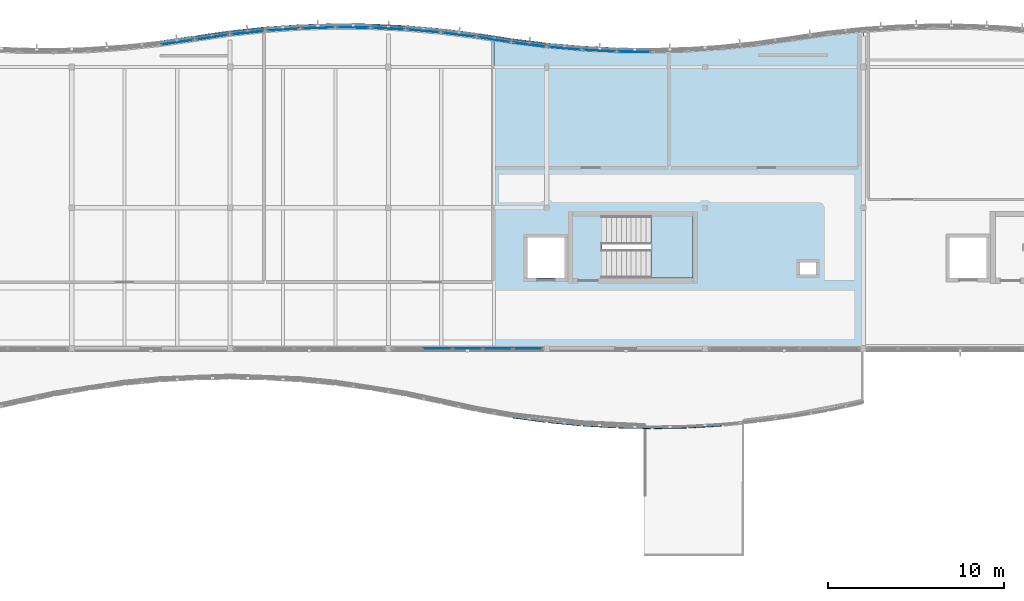
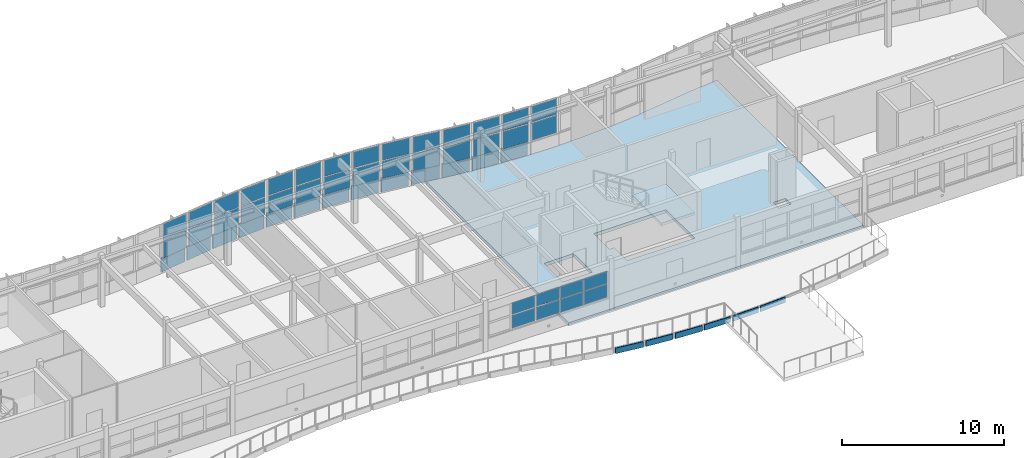
# One storey, part 16 of 33: 55 plates, 2 slabs, 16 elements without a shape of their own.
"""IFC4 building model written with IfcOpenShell, lengths in metres."""

from ifc_helpers import new_model, si_unit, direction, frame, origin, origin_2d, place, context, subcontext, project, spatial, polyline, rectangle, outline, extrude, material, layer, layer_set, type_object, element, aggregate, save


model = new_model("IFC4")

# Units and contexts
model_context = context("Model", 3, precision=1e-05, world=origin(), true_north=direction((0.0, 1.0)))
body_context = subcontext(model_context, "Body", "Model", "MODEL_VIEW")
ifc_project = project(units=[si_unit("LENGTHUNIT", "METRE"), si_unit("AREAUNIT", "SQUARE_METRE"), si_unit("VOLUMEUNIT", "CUBIC_METRE"), si_unit("PLANEANGLEUNIT", "RADIAN"), si_unit("MASSUNIT", "GRAM", prefix="KILO")], contexts=[model_context])

# Site, building, storey
site_placement = place(None, origin())
site = spatial("IfcSite", under=ifc_project, at=site_placement, CompositionType="ELEMENT")
building_placement = place(site_placement, origin())
building = spatial("IfcBuilding", under=site, at=building_placement, Name="Tonlespit Floodbar School", CompositionType="ELEMENT")
storey_placement = place(building_placement, frame((0.0, 0.0, 16.199951171875)))
storey = spatial("IfcBuildingStorey", under=building, at=storey_placement, Name="L04", CompositionType="ELEMENT", Elevation=16.199951171875)

# Curtain wall, plates
ifc_material_1 = material(Name="Anodised Aluminium", Category="aluminium")
ifc_layer_1 = layer(ifc_material_1, 0.159912109375)
ifc_layer_set_1 = layer_set([ifc_layer_1], Name="Anodised Aluminium")
curtain_wall_type_1 = type_object("IfcCurtainWallType", Name="CurtainWall_1900x2700", PredefinedType="NOTDEFINED", material=ifc_layer_set_1)
curtain_wall_1_placement = place(storey_placement, origin())
curtain_wall_1 = element("IfcCurtainWall", 1, at=curtain_wall_1_placement, inside=storey, type_object=curtain_wall_type_1, Name="L04 unitised curtain wall 0185", PredefinedType="NOTDEFINED")
ifc_material_2 = material(Name="Laminated Low-E Glass", Category="glass")
ifc_layer_2 = layer(ifc_material_2, 0.028076171875)
ifc_layer_set_2 = layer_set([ifc_layer_2], Name="Laminated Low-E Glass")
plate_type_1 = type_object("IfcPlateType", Name="CW_Panel_Glaz_28", PredefinedType="CURTAIN_PANEL", material=ifc_layer_set_2)
plate_1_placement = place(storey_placement, frame((83.0, 122.121826171875, 1.01513671875), z_axis=(0.0, 0.0, 1.0), x_axis=(0.99773010165, 0.067339767311, 0.0)))
plate_1 = element("IfcPlate", 2, at=plate_1_placement, type_object=plate_type_1, Name="CW-05 panel 1.1", PredefinedType="CURTAIN_PANEL", context=body_context, shape_type="SweptSolid", body=[
    extrude(rectangle(XDim=1.794677734375, YDim=0.028076171875, at=origin_2d()), origin(), (0.0, 0.0, 1.0), 1.306396484375),
])
plate_2_placement = place(storey_placement, frame((83.0, 122.121826171875, 2.38671875), z_axis=(0.0, 0.0, 1.0), x_axis=(0.99773010165, 0.067339767311, 0.0)))
plate_2 = element("IfcPlate", 3, at=plate_2_placement, type_object=plate_type_1, Name="CW-05 panel 1.2", PredefinedType="CURTAIN_PANEL", context=body_context, shape_type="SweptSolid", body=[
    extrude(rectangle(XDim=1.794677734375, YDim=0.028076171875, at=origin_2d()), origin(), (0.0, 0.0, 1.0), 1.198486328125),
])
aggregate(curtain_wall_1, [plate_1, plate_2])

ifc_layer_3 = layer(ifc_material_1, 0.159912109375)
ifc_layer_set_3 = layer_set([ifc_layer_3], Name="Anodised Aluminium")
curtain_wall_type_2 = type_object("IfcCurtainWallType", Name="CurtainWall_1950x2700", PredefinedType="NOTDEFINED", material=ifc_layer_set_3)
curtain_wall_2_placement = place(storey_placement, origin())
curtain_wall_2 = element("IfcCurtainWall", 4, at=curtain_wall_2_placement, inside=storey, type_object=curtain_wall_type_2, Name="L04 unitised curtain wall 0189", PredefinedType="NOTDEFINED")
plate_3_placement = place(storey_placement, frame((91.0, 122.044677734375, 1.01513671875), z_axis=(0.0, 0.0, 1.0), x_axis=(0.996249148412, -0.086531117454, 0.0)))
plate_3 = element("IfcPlate", 5, at=plate_3_placement, type_object=plate_type_1, Name="CW-04 panel 1.1", PredefinedType="CURTAIN_PANEL", context=body_context, shape_type="SweptSolid", body=[
    extrude(rectangle(XDim=1.797607421875, YDim=0.028076171875, at=origin_2d()), origin(), (0.0, 0.0, 1.0), 1.306396484375),
])
plate_4_placement = place(storey_placement, frame((91.0, 122.044677734375, 2.38671875), z_axis=(0.0, 0.0, 1.0), x_axis=(0.996249148412, -0.086531117454, 0.0)))
plate_4 = element("IfcPlate", 6, at=plate_4_placement, type_object=plate_type_1, Name="CW-04 panel 1.2", PredefinedType="CURTAIN_PANEL", context=body_context, shape_type="SweptSolid", body=[
    extrude(rectangle(XDim=1.797607421875, YDim=0.028076171875, at=origin_2d()), origin(), (0.0, 0.0, 1.0), 1.198486328125),
])
aggregate(curtain_wall_2, [plate_3, plate_4])

curtain_wall_3_placement = place(storey_placement, origin())
curtain_wall_3 = element("IfcCurtainWall", 7, at=curtain_wall_3_placement, inside=storey, type_object=curtain_wall_type_2, Name="L04 unitised curtain wall 0193", PredefinedType="NOTDEFINED")
plate_5_placement = place(storey_placement, frame((99.0, 121.055419921875, 1.01513671875), z_axis=(0.0, 0.0, 1.0), x_axis=(0.996249148412, -0.086531117454, 0.0)))
plate_5 = element("IfcPlate", 8, at=plate_5_placement, type_object=plate_type_1, Name="CW-04 panel 1.1", PredefinedType="CURTAIN_PANEL", context=body_context, shape_type="SweptSolid", body=[
    extrude(rectangle(XDim=1.797607421875, YDim=0.028076171875, at=origin_2d()), origin(), (0.0, 0.0, 1.0), 1.306396484375),
])
plate_6_placement = place(storey_placement, frame((99.0, 121.055419921875, 2.38671875), z_axis=(0.0, 0.0, 1.0), x_axis=(0.996249148412, -0.086531117454, 0.0)))
plate_6 = element("IfcPlate", 9, at=plate_6_placement, type_object=plate_type_1, Name="CW-04 panel 1.2", PredefinedType="CURTAIN_PANEL", context=body_context, shape_type="SweptSolid", body=[
    extrude(rectangle(XDim=1.797607421875, YDim=0.028076171875, at=origin_2d()), origin(), (0.0, 0.0, 1.0), 1.198486328125),
])
aggregate(curtain_wall_3, [plate_5, plate_6])

curtain_wall_4_placement = place(storey_placement, origin())
curtain_wall_4 = element("IfcCurtainWall", 10, at=curtain_wall_4_placement, inside=storey, type_object=curtain_wall_type_2, Name="L04 unitised curtain wall 0182", PredefinedType="NOTDEFINED")
ifc_layer_4 = layer(ifc_material_2, 0.031982421875)
ifc_layer_set_4 = layer_set([ifc_layer_4], Name="Laminated Low-E Glass")
plate_type_2 = type_object("IfcPlateType", Name="CW_Panel_Glaz_32", PredefinedType="CURTAIN_PANEL", material=ifc_layer_set_4)
plate_7_placement = place(storey_placement, frame((77.0, 121.404296875, 1.01513671875), z_axis=(0.0, 0.0, 1.0), x_axis=(0.989541561858, 0.144248041079, 0.0)))
plate_7 = element("IfcPlate", 11, at=plate_7_placement, type_object=plate_type_2, Name="CW-04 panel 1.1", PredefinedType="CURTAIN_PANEL", context=body_context, shape_type="SweptSolid", body=[
    extrude(rectangle(XDim=1.81103515625, YDim=0.031982421875, at=origin_2d()), origin(), (0.0, 0.0, 1.0), 1.306396484375),
])
plate_8_placement = place(storey_placement, frame((77.0, 121.404296875, 2.38671875), z_axis=(0.0, 0.0, 1.0), x_axis=(0.989541561858, 0.144248041079, 0.0)))
plate_8 = element("IfcPlate", 12, at=plate_8_placement, type_object=plate_type_2, Name="CW-04 panel 1.2", PredefinedType="CURTAIN_PANEL", context=body_context, shape_type="SweptSolid", body=[
    extrude(rectangle(XDim=1.81103515625, YDim=0.031982421875, at=origin_2d()), origin(), (0.0, 0.0, 1.0), 1.198486328125),
])
aggregate(curtain_wall_4, [plate_7, plate_8])

curtain_wall_5_placement = place(storey_placement, origin())
curtain_wall_5 = element("IfcCurtainWall", 13, at=curtain_wall_5_placement, inside=storey, type_object=curtain_wall_type_1, Name="L04 unitised curtain wall 0186", PredefinedType="NOTDEFINED")
plate_9_placement = place(storey_placement, frame((85.0, 122.21826171875, 1.01513671875), z_axis=(0.0, 0.0, 1.0), x_axis=(0.999585477883, 0.028790144226, 0.0)))
plate_9 = element("IfcPlate", 14, at=plate_9_placement, type_object=plate_type_2, Name="CW-05 panel 1.1", PredefinedType="CURTAIN_PANEL", context=body_context, shape_type="SweptSolid", body=[
    extrude(rectangle(XDim=1.790771484375, YDim=0.031982421875, at=origin_2d()), origin(), (0.0, 0.0, 1.0), 1.306396484375),
])
plate_10_placement = place(storey_placement, frame((85.0, 122.21826171875, 2.38671875), z_axis=(0.0, 0.0, 1.0), x_axis=(0.999585477883, 0.028790144226, 0.0)))
plate_10 = element("IfcPlate", 15, at=plate_10_placement, type_object=plate_type_2, Name="CW-05 panel 1.2", PredefinedType="CURTAIN_PANEL", context=body_context, shape_type="SweptSolid", body=[
    extrude(rectangle(XDim=1.790771484375, YDim=0.031982421875, at=origin_2d()), origin(), (0.0, 0.0, 1.0), 1.198486328125),
])
aggregate(curtain_wall_5, [plate_9, plate_10])

curtain_wall_6_placement = place(storey_placement, origin())
curtain_wall_6 = element("IfcCurtainWall", 16, at=curtain_wall_6_placement, inside=storey, type_object=curtain_wall_type_2, Name="L04 unitised curtain wall 0190", PredefinedType="NOTDEFINED")
plate_11_placement = place(storey_placement, frame((93.0, 121.831787109375, 1.01513671875), z_axis=(0.0, 0.0, 1.0), x_axis=(0.992155002499, -0.125013803299, 0.0)))
plate_11 = element("IfcPlate", 17, at=plate_11_placement, type_object=plate_type_2, Name="CW-04 panel 1.1", PredefinedType="CURTAIN_PANEL", context=body_context, shape_type="SweptSolid", body=[
    extrude(rectangle(XDim=1.805908203125, YDim=0.031982421875, at=origin_2d()), origin(), (0.0, 0.0, 1.0), 1.306396484375),
])
plate_12_placement = place(storey_placement, frame((93.0, 121.831787109375, 2.38671875), z_axis=(0.0, 0.0, 1.0), x_axis=(0.992155002499, -0.125013803299, 0.0)))
plate_12 = element("IfcPlate", 18, at=plate_12_placement, type_object=plate_type_2, Name="CW-04 panel 1.2", PredefinedType="CURTAIN_PANEL", context=body_context, shape_type="SweptSolid", body=[
    extrude(rectangle(XDim=1.805908203125, YDim=0.031982421875, at=origin_2d()), origin(), (0.0, 0.0, 1.0), 1.198486328125),
])
aggregate(curtain_wall_6, [plate_11, plate_12])

curtain_wall_7_placement = place(storey_placement, origin())
curtain_wall_7 = element("IfcCurtainWall", 19, at=curtain_wall_7_placement, inside=storey, type_object=curtain_wall_type_1, Name="L04 unitised curtain wall 0194", PredefinedType="NOTDEFINED")
plate_13_placement = place(storey_placement, frame((101.0, 120.92041015625, 1.01513671875), z_axis=(0.0, 0.0, 1.0), x_axis=(0.998841500616, -0.048121270216, 0.0)))
plate_13 = element("IfcPlate", 20, at=plate_13_placement, type_object=plate_type_2, Name="CW-05 panel 1.1", PredefinedType="CURTAIN_PANEL", context=body_context, shape_type="SweptSolid", body=[
    extrude(rectangle(XDim=1.792236328125, YDim=0.031982421875, at=origin_2d()), origin(), (0.0, 0.0, 1.0), 1.306396484375),
])
plate_14_placement = place(storey_placement, frame((101.0, 120.92041015625, 2.38671875), z_axis=(0.0, 0.0, 1.0), x_axis=(0.998841500616, -0.048121270216, 0.0)))
plate_14 = element("IfcPlate", 21, at=plate_14_placement, type_object=plate_type_2, Name="CW-05 panel 1.2", PredefinedType="CURTAIN_PANEL", context=body_context, shape_type="SweptSolid", body=[
    extrude(rectangle(XDim=1.792236328125, YDim=0.031982421875, at=origin_2d()), origin(), (0.0, 0.0, 1.0), 1.198486328125),
])
aggregate(curtain_wall_7, [plate_13, plate_14])

curtain_wall_8_placement = place(storey_placement, origin())
curtain_wall_8 = element("IfcCurtainWall", 22, at=curtain_wall_8_placement, inside=storey, type_object=curtain_wall_type_2, Name="L04 unitised curtain wall 0183", PredefinedType="NOTDEFINED")
ifc_layer_5 = layer(ifc_material_2, 0.035888671875)
ifc_layer_set_5 = layer_set([ifc_layer_5], Name="Laminated Low-E Glass")
plate_type_3 = type_object("IfcPlateType", Name="CW_Panel_Glaz_36", PredefinedType="CURTAIN_PANEL", material=ifc_layer_set_5)
plate_15_placement = place(storey_placement, frame((79.0, 121.69580078125, 1.01513671875), z_axis=(0.0, 0.0, 1.0), x_axis=(0.989541561858, 0.144248041079, 0.0)))
plate_15 = element("IfcPlate", 23, at=plate_15_placement, type_object=plate_type_3, Name="CW-04 panel 1.1", PredefinedType="CURTAIN_PANEL", context=body_context, shape_type="SweptSolid", body=[
    extrude(rectangle(XDim=1.81103515625, YDim=0.035888671875, at=origin_2d()), origin(), (0.0, 0.0, 1.0), 1.306396484375),
])
plate_16_placement = place(storey_placement, frame((79.0, 121.69580078125, 2.38671875), z_axis=(0.0, 0.0, 1.0), x_axis=(0.989541561858, 0.144248041079, 0.0)))
plate_16 = element("IfcPlate", 24, at=plate_16_placement, type_object=plate_type_3, Name="CW-04 panel 1.2", PredefinedType="CURTAIN_PANEL", context=body_context, shape_type="SweptSolid", body=[
    extrude(rectangle(XDim=1.81103515625, YDim=0.035888671875, at=origin_2d()), origin(), (0.0, 0.0, 1.0), 1.198486328125),
])
aggregate(curtain_wall_8, [plate_15, plate_16])

curtain_wall_9_placement = place(storey_placement, origin())
curtain_wall_9 = element("IfcCurtainWall", 25, at=curtain_wall_9_placement, inside=storey, type_object=curtain_wall_type_1, Name="L04 unitised curtain wall 0187", PredefinedType="NOTDEFINED")
plate_17_placement = place(storey_placement, frame((87.0, 122.2373046875, 1.01513671875), z_axis=(0.0, 0.0, 1.0), x_axis=(0.999954083024, -0.009582893292, 0.0)))
plate_17 = element("IfcPlate", 26, at=plate_17_placement, type_object=plate_type_3, Name="CW-05 panel 1.1", PredefinedType="CURTAIN_PANEL", context=body_context, shape_type="SweptSolid", body=[
    extrude(rectangle(XDim=1.7900390625, YDim=0.035888671875, at=origin_2d()), origin(), (0.0, 0.0, 1.0), 1.306396484375),
])
plate_18_placement = place(storey_placement, frame((87.0, 122.2373046875, 2.38671875), z_axis=(0.0, 0.0, 1.0), x_axis=(0.999954083024, -0.009582893292, 0.0)))
plate_18 = element("IfcPlate", 27, at=plate_18_placement, type_object=plate_type_3, Name="CW-05 panel 1.2", PredefinedType="CURTAIN_PANEL", context=body_context, shape_type="SweptSolid", body=[
    extrude(rectangle(XDim=1.7900390625, YDim=0.035888671875, at=origin_2d()), origin(), (0.0, 0.0, 1.0), 1.198486328125),
])
aggregate(curtain_wall_9, [plate_17, plate_18])

curtain_wall_10_placement = place(storey_placement, origin())
curtain_wall_10 = element("IfcCurtainWall", 28, at=curtain_wall_10_placement, inside=storey, type_object=curtain_wall_type_2, Name="L04 unitised curtain wall 0191", PredefinedType="NOTDEFINED")
plate_19_placement = place(storey_placement, frame((95.0, 121.550048828125, 1.01513671875), z_axis=(0.0, 0.0, 1.0), x_axis=(0.988102576465, -0.153796288585, 0.0)))
plate_19 = element("IfcPlate", 29, at=plate_19_placement, type_object=plate_type_3, Name="CW-04 panel 1.1", PredefinedType="CURTAIN_PANEL", context=body_context, shape_type="SweptSolid", body=[
    extrude(rectangle(XDim=1.814208984375, YDim=0.035888671875, at=origin_2d()), origin(), (0.0, 0.0, 1.0), 1.306396484375),
])
plate_20_placement = place(storey_placement, frame((95.0, 121.550048828125, 2.38671875), z_axis=(0.0, 0.0, 1.0), x_axis=(0.988102576465, -0.153796288585, 0.0)))
plate_20 = element("IfcPlate", 30, at=plate_20_placement, type_object=plate_type_3, Name="CW-04 panel 1.2", PredefinedType="CURTAIN_PANEL", context=body_context, shape_type="SweptSolid", body=[
    extrude(rectangle(XDim=1.814208984375, YDim=0.035888671875, at=origin_2d()), origin(), (0.0, 0.0, 1.0), 1.198486328125),
])
aggregate(curtain_wall_10, [plate_19, plate_20])

curtain_wall_11_placement = place(storey_placement, origin())
curtain_wall_11 = element("IfcCurtainWall", 31, at=curtain_wall_11_placement, inside=storey, type_object=curtain_wall_type_1, Name="L04 unitised curtain wall 0195", PredefinedType="NOTDEFINED")
plate_21_placement = place(storey_placement, frame((103.0, 120.862548828125, 1.01513671875), z_axis=(0.0, 0.0, 1.0), x_axis=(0.999954083024, -0.009582893292, 0.0)))
plate_21 = element("IfcPlate", 32, at=plate_21_placement, type_object=plate_type_3, Name="CW-05 panel 1.1", PredefinedType="CURTAIN_PANEL", context=body_context, shape_type="SweptSolid", body=[
    extrude(rectangle(XDim=1.7900390625, YDim=0.035888671875, at=origin_2d()), origin(), (0.0, 0.0, 1.0), 1.306396484375),
])
plate_22_placement = place(storey_placement, frame((103.0, 120.862548828125, 2.38671875), z_axis=(0.0, 0.0, 1.0), x_axis=(0.999954083024, -0.009582893292, 0.0)))
plate_22 = element("IfcPlate", 33, at=plate_22_placement, type_object=plate_type_3, Name="CW-05 panel 1.2", PredefinedType="CURTAIN_PANEL", context=body_context, shape_type="SweptSolid", body=[
    extrude(rectangle(XDim=1.7900390625, YDim=0.035888671875, at=origin_2d()), origin(), (0.0, 0.0, 1.0), 1.198486328125),
])
aggregate(curtain_wall_11, [plate_21, plate_22])

ifc_layer_6 = layer(ifc_material_1, 0.159912109375)
ifc_layer_set_6 = layer_set([ifc_layer_6], Name="Anodised Aluminium")
curtain_wall_type_3 = type_object("IfcCurtainWallType", Name="CurtainWall_8600x2050", PredefinedType="NOTDEFINED", material=ifc_layer_set_6)
curtain_wall_12_placement = place(storey_placement, origin())
curtain_wall_12 = element("IfcCurtainWall", 34, at=curtain_wall_12_placement, inside=storey, type_object=curtain_wall_type_3, Name="L04 unitised curtain wall 0203", PredefinedType="NOTDEFINED")
plate_23_placement = place(storey_placement, frame((96.923828125, 104.0, 1.01513671875), z_axis=(0.0, 0.0, 1.0), x_axis=(-1.0, 0.0, 0.0)))
plate_23 = element("IfcPlate", 35, at=plate_23_placement, type_object=plate_type_3, Name="CW-08 panel 1.1", PredefinedType="CURTAIN_PANEL", context=body_context, shape_type="SweptSolid", body=[
    extrude(rectangle(XDim=1.62255859375, YDim=0.035888671875, at=origin_2d()), origin(), (0.0, 0.0, 1.0), 0.97265625),
])
plate_24_placement = place(storey_placement, frame((96.923828125, 104.0, 2.052734375), z_axis=(0.0, 0.0, 1.0), x_axis=(-1.0, 0.0, 0.0)))
plate_24 = element("IfcPlate", 36, at=plate_24_placement, type_object=plate_type_3, Name="CW-08 panel 1.2", PredefinedType="CURTAIN_PANEL", context=body_context, shape_type="SweptSolid", body=[
    extrude(rectangle(XDim=1.62255859375, YDim=0.035888671875, at=origin_2d()), origin(), (0.0, 0.0, 1.0), 0.890380859375),
])
plate_25_placement = place(storey_placement, frame((95.219970703125, 104.0, 1.01513671875), z_axis=(0.0, 0.0, 1.0), x_axis=(-1.0, 0.0, 0.0)))
plate_25 = element("IfcPlate", 37, at=plate_25_placement, type_object=plate_type_3, Name="CW-08 panel 2.1", PredefinedType="CURTAIN_PANEL", context=body_context, shape_type="SweptSolid", body=[
    extrude(rectangle(XDim=1.655029296875, YDim=0.035888671875, at=origin_2d()), origin(), (0.0, 0.0, 1.0), 0.97265625),
])
plate_26_placement = place(storey_placement, frame((95.219970703125, 104.0, 2.052734375), z_axis=(0.0, 0.0, 1.0), x_axis=(-1.0, 0.0, 0.0)))
plate_26 = element("IfcPlate", 38, at=plate_26_placement, type_object=plate_type_3, Name="CW-08 panel 2.2", PredefinedType="CURTAIN_PANEL", context=body_context, shape_type="SweptSolid", body=[
    extrude(rectangle(XDim=1.655029296875, YDim=0.035888671875, at=origin_2d()), origin(), (0.0, 0.0, 1.0), 0.890380859375),
])
plate_27_placement = place(storey_placement, frame((93.5, 104.0, 1.01513671875), z_axis=(0.0, 0.0, 1.0), x_axis=(-1.0, 0.0, 0.0)))
plate_27 = element("IfcPlate", 39, at=plate_27_placement, type_object=plate_type_3, Name="CW-08 panel 3.1", PredefinedType="CURTAIN_PANEL", context=body_context, shape_type="SweptSolid", body=[
    extrude(rectangle(XDim=1.655029296875, YDim=0.035888671875, at=origin_2d()), origin(), (0.0, 0.0, 1.0), 0.97265625),
])
plate_28_placement = place(storey_placement, frame((93.5, 104.0, 2.052734375), z_axis=(0.0, 0.0, 1.0), x_axis=(-1.0, 0.0, 0.0)))
plate_28 = element("IfcPlate", 40, at=plate_28_placement, type_object=plate_type_3, Name="CW-08 panel 3.2", PredefinedType="CURTAIN_PANEL", context=body_context, shape_type="SweptSolid", body=[
    extrude(rectangle(XDim=1.655029296875, YDim=0.035888671875, at=origin_2d()), origin(), (0.0, 0.0, 1.0), 0.890380859375),
])
plate_29_placement = place(storey_placement, frame((91.780029296875, 104.0, 1.01513671875), z_axis=(0.0, 0.0, 1.0), x_axis=(-1.0, 0.0, 0.0)))
plate_29 = element("IfcPlate", 41, at=plate_29_placement, type_object=plate_type_3, Name="CW-08 panel 4.1", PredefinedType="CURTAIN_PANEL", context=body_context, shape_type="SweptSolid", body=[
    extrude(rectangle(XDim=1.655029296875, YDim=0.035888671875, at=origin_2d()), origin(), (0.0, 0.0, 1.0), 0.97265625),
])
plate_30_placement = place(storey_placement, frame((91.780029296875, 104.0, 2.052734375), z_axis=(0.0, 0.0, 1.0), x_axis=(-1.0, 0.0, 0.0)))
plate_30 = element("IfcPlate", 42, at=plate_30_placement, type_object=plate_type_3, Name="CW-08 panel 4.2", PredefinedType="CURTAIN_PANEL", context=body_context, shape_type="SweptSolid", body=[
    extrude(rectangle(XDim=1.655029296875, YDim=0.035888671875, at=origin_2d()), origin(), (0.0, 0.0, 1.0), 0.890380859375),
])
aggregate(curtain_wall_12, [plate_23, plate_24, plate_25, plate_26, plate_27, plate_28, plate_29, plate_30])

curtain_wall_13_placement = place(storey_placement, origin())
curtain_wall_13 = element("IfcCurtainWall", 43, at=curtain_wall_13_placement, inside=storey, type_object=curtain_wall_type_2, Name="L04 unitised curtain wall 0184", PredefinedType="NOTDEFINED")
ifc_layer_7 = layer(ifc_material_2, 0.0419921875)
ifc_layer_set_7 = layer_set([ifc_layer_7], Name="Laminated Low-E Glass")
plate_type_4 = type_object("IfcPlateType", Name="CW_Panel_Glaz_42", PredefinedType="CURTAIN_PANEL", material=ifc_layer_set_7)
plate_31_placement = place(storey_placement, frame((81.0, 121.947998046875, 1.01513671875), z_axis=(0.0, 0.0, 1.0), x_axis=(0.994388797288, 0.105787143968, 0.0)))
plate_31 = element("IfcPlate", 44, at=plate_31_placement, type_object=plate_type_4, Name="CW-04 panel 1.1", PredefinedType="CURTAIN_PANEL", context=body_context, shape_type="SweptSolid", body=[
    extrude(rectangle(XDim=1.80126953125, YDim=0.0419921875, at=origin_2d()), origin(), (0.0, 0.0, 1.0), 1.306396484375),
])
plate_32_placement = place(storey_placement, frame((81.0, 121.947998046875, 2.38671875), z_axis=(0.0, 0.0, 1.0), x_axis=(0.994388797288, 0.105787143968, 0.0)))
plate_32 = element("IfcPlate", 45, at=plate_32_placement, type_object=plate_type_4, Name="CW-04 panel 1.2", PredefinedType="CURTAIN_PANEL", context=body_context, shape_type="SweptSolid", body=[
    extrude(rectangle(XDim=1.80126953125, YDim=0.0419921875, at=origin_2d()), origin(), (0.0, 0.0, 1.0), 1.198486328125),
])
aggregate(curtain_wall_13, [plate_31, plate_32])

curtain_wall_14_placement = place(storey_placement, origin())
curtain_wall_14 = element("IfcCurtainWall", 46, at=curtain_wall_14_placement, inside=storey, type_object=curtain_wall_type_1, Name="L04 unitised curtain wall 0188", PredefinedType="NOTDEFINED")
plate_33_placement = place(storey_placement, frame((89.0, 122.1796875, 1.01513671875), z_axis=(0.0, 0.0, 1.0), x_axis=(0.998841500616, -0.048121270216, 0.0)))
plate_33 = element("IfcPlate", 47, at=plate_33_placement, type_object=plate_type_4, Name="CW-05 panel 1.1", PredefinedType="CURTAIN_PANEL", context=body_context, shape_type="SweptSolid", body=[
    extrude(rectangle(XDim=1.792236328125, YDim=0.0419921875, at=origin_2d()), origin(), (0.0, 0.0, 1.0), 1.306396484375),
])
plate_34_placement = place(storey_placement, frame((89.0, 122.1796875, 2.38671875), z_axis=(0.0, 0.0, 1.0), x_axis=(0.998841500616, -0.048121270216, 0.0)))
plate_34 = element("IfcPlate", 48, at=plate_34_placement, type_object=plate_type_4, Name="CW-05 panel 1.2", PredefinedType="CURTAIN_PANEL", context=body_context, shape_type="SweptSolid", body=[
    extrude(rectangle(XDim=1.792236328125, YDim=0.0419921875, at=origin_2d()), origin(), (0.0, 0.0, 1.0), 1.198486328125),
])
aggregate(curtain_wall_14, [plate_33, plate_34])

curtain_wall_15_placement = place(storey_placement, origin())
curtain_wall_15 = element("IfcCurtainWall", 49, at=curtain_wall_15_placement, inside=storey, type_object=curtain_wall_type_2, Name="L04 unitised curtain wall 0192", PredefinedType="NOTDEFINED")
plate_35_placement = place(storey_placement, frame((97.0, 121.268310546875, 1.01513671875), z_axis=(0.0, 0.0, 1.0), x_axis=(0.992155002499, -0.125013803299, 0.0)))
plate_35 = element("IfcPlate", 50, at=plate_35_placement, type_object=plate_type_4, Name="CW-04 panel 1.1", PredefinedType="CURTAIN_PANEL", context=body_context, shape_type="SweptSolid", body=[
    extrude(rectangle(XDim=1.805908203125, YDim=0.0419921875, at=origin_2d()), origin(), (0.0, 0.0, 1.0), 1.306396484375),
])
plate_36_placement = place(storey_placement, frame((97.0, 121.268310546875, 2.38671875), z_axis=(0.0, 0.0, 1.0), x_axis=(0.992155002499, -0.125013803299, 0.0)))
plate_36 = element("IfcPlate", 51, at=plate_36_placement, type_object=plate_type_4, Name="CW-04 panel 1.2", PredefinedType="CURTAIN_PANEL", context=body_context, shape_type="SweptSolid", body=[
    extrude(rectangle(XDim=1.805908203125, YDim=0.0419921875, at=origin_2d()), origin(), (0.0, 0.0, 1.0), 1.198486328125),
])
aggregate(curtain_wall_15, [plate_35, plate_36])

# Plates
ifc_material_3 = material(Name="White Architectural Aluminium", Category="aluminium")
ifc_layer_8 = layer(ifc_material_3, 0.06494140625)
ifc_layer_set_8 = layer_set([ifc_layer_8], Name="White Architectural Aluminium")
plate_type_5 = type_object("IfcPlateType", Name="FacadeRibbon_White_65", PredefinedType="SHEET", material=ifc_layer_set_8)
for number, where, z_axis, x_axis, name in (
    (52, (76.9736328125, 121.584228515625, -0.1201171875), (0.0, 0.0, 1.0), (0.989537627347, 0.144275029245, 0.0), "L04 flowing white street spandrel ribbon 0313"),
    (53, (78.9736328125, 121.8759765625, -0.1201171875), (0.0, 0.0, 1.0), (0.989537627347, 0.144275029245, 0.0), "L04 flowing white street spandrel ribbon 0314"),
):
    element("IfcPlate", number, at=place(storey_placement, frame(where, z_axis=z_axis, x_axis=x_axis)), inside=storey, type_object=plate_type_5, Name=name, PredefinedType="SHEET", context=body_context, shape_type="SweptSolid", body=[
        extrude(rectangle(XDim=1.861083984375, YDim=0.06494140625, at=origin_2d()), origin(), (0.0, 0.0, 1.0), 1.070068359375),
    ])
plate_37_placement = place(storey_placement, frame((80.980712890625, 122.12890625, -0.1201171875), z_axis=(0.0, 0.0, 1.0), x_axis=(0.99439234017, 0.105753835922, 0.0)))
element("IfcPlate", 54, at=plate_37_placement, inside=storey, type_object=plate_type_5, Name="L04 flowing white street spandrel ribbon 0315", PredefinedType="SHEET", context=body_context, shape_type="SweptSolid", body=[
    extrude(rectangle(XDim=1.851318359375, YDim=0.06494140625, at=origin_2d()), origin(), (0.0, 0.0, 1.0), 1.070068359375),
])
plate_38_placement = place(storey_placement, frame((82.98779296875, 122.303466796875, -0.1201171875), z_axis=(0.0, 0.0, 1.0), x_axis=(0.997729639049, 0.067346621018, 0.0)))
element("IfcPlate", 55, at=plate_38_placement, inside=storey, type_object=plate_type_5, Name="L04 flowing white street spandrel ribbon 0316", PredefinedType="SHEET", context=body_context, shape_type="SweptSolid", body=[
    extrude(rectangle(XDim=1.844482421875, YDim=0.06494140625, at=origin_2d()), origin(), (0.0, 0.0, 1.0), 1.070068359375),
])
plate_39_placement = place(storey_placement, frame((84.994873046875, 122.400146484375, -0.1201171875), z_axis=(0.0, 0.0, 1.0), x_axis=(0.999584110869, 0.02883756748, 0.0)))
element("IfcPlate", 56, at=plate_39_placement, inside=storey, type_object=plate_type_5, Name="L04 flowing white street spandrel ribbon 0317", PredefinedType="SHEET", context=body_context, shape_type="SweptSolid", body=[
    extrude(rectangle(XDim=1.8408203125, YDim=0.06494140625, at=origin_2d()), origin(), (0.0, 0.0, 1.0), 1.070068359375),
])
plate_40_placement = place(storey_placement, frame((87.001708984375, 122.41943359375, -0.1201171875), z_axis=(0.0, 0.0, 1.0), x_axis=(0.999953926969, -0.009599163462, 0.0)))
element("IfcPlate", 57, at=plate_40_placement, inside=storey, type_object=plate_type_5, Name="L04 flowing white street spandrel ribbon 0318", PredefinedType="SHEET", context=body_context, shape_type="SweptSolid", body=[
    extrude(rectangle(XDim=1.840087890625, YDim=0.06494140625, at=origin_2d()), origin(), (0.0, 0.0, 1.0), 1.070068359375),
])
plate_41_placement = place(storey_placement, frame((89.0087890625, 122.361328125, -0.1201171875), z_axis=(0.0, 0.0, 1.0), x_axis=(0.998842769234, -0.048094930587, 0.0)))
element("IfcPlate", 58, at=plate_41_placement, inside=storey, type_object=plate_type_5, Name="L04 flowing white street spandrel ribbon 0319", PredefinedType="SHEET", context=body_context, shape_type="SweptSolid", body=[
    extrude(rectangle(XDim=1.84228515625, YDim=0.06494140625, at=origin_2d()), origin(), (0.0, 0.0, 1.0), 1.070068359375),
])
plate_42_placement = place(storey_placement, frame((91.015869140625, 122.225830078125, -0.1201171875), z_axis=(0.0, 0.0, 1.0), x_axis=(0.996245486492, -0.086573267488, 0.0)))
element("IfcPlate", 59, at=plate_42_placement, inside=storey, type_object=plate_type_5, Name="L04 flowing white street spandrel ribbon 0320", PredefinedType="SHEET", context=body_context, shape_type="SweptSolid", body=[
    extrude(rectangle(XDim=1.847412109375, YDim=0.06494140625, at=origin_2d()), origin(), (0.0, 0.0, 1.0), 1.070068359375),
])
plate_43_placement = place(storey_placement, frame((93.022705078125, 122.01220703125, -0.1201171875), z_axis=(0.0, 0.0, 1.0), x_axis=(0.99215533612, -0.125011155539, 0.0)))
element("IfcPlate", 60, at=plate_43_placement, inside=storey, type_object=plate_type_5, Name="L04 flowing white street spandrel ribbon 0321", PredefinedType="SHEET", context=body_context, shape_type="SweptSolid", body=[
    extrude(rectangle(XDim=1.855712890625, YDim=0.06494140625, at=origin_2d()), origin(), (0.0, 0.0, 1.0), 1.070068359375),
])
plate_44_placement = place(storey_placement, frame((95.028076171875, 121.729736328125, -0.1201171875), z_axis=(0.0, 0.0, 1.0), x_axis=(0.988094768361, -0.153846445322, 0.0)))
element("IfcPlate", 61, at=plate_44_placement, inside=storey, type_object=plate_type_5, Name="L04 flowing white street spandrel ribbon 0322", PredefinedType="SHEET", context=body_context, shape_type="SweptSolid", body=[
    extrude(rectangle(XDim=1.864013671875, YDim=0.06494140625, at=origin_2d()), origin(), (0.0, 0.0, 1.0), 1.070068359375),
])
plate_45_placement = place(storey_placement, frame((97.022705078125, 121.448974609375, -0.1201171875), z_axis=(0.0, 0.0, 1.0), x_axis=(0.99215533612, -0.125011155539, 0.0)))
element("IfcPlate", 62, at=plate_45_placement, inside=storey, type_object=plate_type_5, Name="L04 flowing white street spandrel ribbon 0323", PredefinedType="SHEET", context=body_context, shape_type="SweptSolid", body=[
    extrude(rectangle(XDim=1.855712890625, YDim=0.06494140625, at=origin_2d()), origin(), (0.0, 0.0, 1.0), 1.070068359375),
])
plate_46_placement = place(storey_placement, frame((99.015869140625, 121.23681640625, -0.1201171875), z_axis=(0.0, 0.0, 1.0), x_axis=(0.996245486492, -0.086573267488, 0.0)))
element("IfcPlate", 63, at=plate_46_placement, inside=storey, type_object=plate_type_5, Name="L04 flowing white street spandrel ribbon 0324", PredefinedType="SHEET", context=body_context, shape_type="SweptSolid", body=[
    extrude(rectangle(XDim=1.847412109375, YDim=0.06494140625, at=origin_2d()), origin(), (0.0, 0.0, 1.0), 1.070068359375),
])
plate_47_placement = place(storey_placement, frame((101.0087890625, 121.10205078125, -0.1201171875), z_axis=(0.0, 0.0, 1.0), x_axis=(0.998842769234, -0.048094930587, 0.0)))
element("IfcPlate", 64, at=plate_47_placement, inside=storey, type_object=plate_type_5, Name="L04 flowing white street spandrel ribbon 0325", PredefinedType="SHEET", context=body_context, shape_type="SweptSolid", body=[
    extrude(rectangle(XDim=1.84228515625, YDim=0.06494140625, at=origin_2d()), origin(), (0.0, 0.0, 1.0), 1.070068359375),
])
plate_48_placement = place(storey_placement, frame((97.0, 99.957763671875, -0.2998046875), z_axis=(0.0, 0.0, 1.0), x_axis=(0.990898113281, -0.13461400037, 0.0)))
element("IfcPlate", 65, at=plate_48_placement, inside=storey, type_object=plate_type_5, Name="L04 flowing white street spandrel ribbon 0370", PredefinedType="SHEET", context=body_context, shape_type="SweptSolid", body=[
    extrude(rectangle(XDim=1.8583984375, YDim=0.06494140625, at=origin_2d()), origin(), (0.0, 0.0, 1.0), 0.419921875),
])
plate_49_placement = place(storey_placement, frame((99.0, 99.72509765625, -0.2998046875), z_axis=(0.0, 0.0, 1.0), x_axis=(0.995361841764, -0.096201891669, 0.0)))
element("IfcPlate", 66, at=plate_49_placement, inside=storey, type_object=plate_type_5, Name="L04 flowing white street spandrel ribbon 0371", PredefinedType="SHEET", context=body_context, shape_type="SweptSolid", body=[
    extrude(rectangle(XDim=1.849365234375, YDim=0.06494140625, at=origin_2d()), origin(), (0.0, 0.0, 1.0), 0.419921875),
])
plate_50_placement = place(storey_placement, frame((101.0, 99.57080078125, -0.2998046875), z_axis=(0.0, 0.0, 1.0), x_axis=(0.998333769428, -0.057703421212, 0.0)))
element("IfcPlate", 67, at=plate_50_placement, inside=storey, type_object=plate_type_5, Name="L04 flowing white street spandrel ribbon 0372", PredefinedType="SHEET", context=body_context, shape_type="SweptSolid", body=[
    extrude(rectangle(XDim=1.84326171875, YDim=0.06494140625, at=origin_2d()), origin(), (0.0, 0.0, 1.0), 0.419921875),
])
for number, where, z_axis, x_axis, name in (
    (68, (103.0, 99.49365234375, -0.2998046875), (0.0, 0.0, 1.0), (0.999814772764, -0.01924630259, 0.0), "L04 flowing white street spandrel ribbon 0373"),
    (69, (105.0, 99.49365234375, -0.2998046875), (0.0, 0.0, 1.0), (0.999814772764, 0.01924630259, 0.0), "L04 flowing white street spandrel ribbon 0374"),
):
    element("IfcPlate", number, at=place(storey_placement, frame(where, z_axis=z_axis, x_axis=x_axis)), inside=storey, type_object=plate_type_5, Name=name, PredefinedType="SHEET", context=body_context, shape_type="SweptSolid", body=[
        extrude(rectangle(XDim=1.84033203125, YDim=0.06494140625, at=origin_2d()), origin(), (0.0, 0.0, 1.0), 0.419921875),
    ])
plate_51_placement = place(storey_placement, frame((107.0, 99.57080078125, -0.2998046875), z_axis=(0.0, 0.0, 1.0), x_axis=(0.998333769428, 0.057703421212, 0.0)))
element("IfcPlate", 70, at=plate_51_placement, inside=storey, type_object=plate_type_5, Name="L04 flowing white street spandrel ribbon 0375", PredefinedType="SHEET", context=body_context, shape_type="SweptSolid", body=[
    extrude(rectangle(XDim=1.84326171875, YDim=0.06494140625, at=origin_2d()), origin(), (0.0, 0.0, 1.0), 0.419921875),
])

# Stair, slab
ifc_material_4 = material(Name="Concrete C40/50", Category="concrete")
stair_type = type_object("IfcStairType", Name="Stair_Core_Upper", PredefinedType="HALF_TURN_STAIR", material=ifc_material_4)
stair_placement = place(storey_placement, origin())
stair = element("IfcStair", 71, at=stair_placement, inside=storey, type_object=stair_type, Name="L04 Core C2 escape stair", PredefinedType="HALF_TURN_STAIR")
ifc_layer_9 = layer(ifc_material_4, 0.199951171875)
ifc_layer_set_9 = layer_set([ifc_layer_9], Name="Concrete C40/50")
slab_type_1 = type_object("IfcSlabType", Name="Landing_Core_RC200", PredefinedType="LANDING", material=ifc_layer_set_9)
slab_1_placement = place(storey_placement, frame((0.0, 0.0, 1.75)))
slab_1 = element("IfcSlab", 72, at=slab_1_placement, type_object=slab_type_1, Name="ST-C2 landing 1", PredefinedType="LANDING", context=body_context, shape_type="SweptSolid", body=[
    extrude(outline(polyline([(103.919921875, 108.0), (106.300048828125, 108.0), (106.300048828125, 111.5400390625), (103.919921875, 111.5400390625), (103.919921875, 108.0)])), origin(), (0.0, 0.0, 1.0), 0.199951171875),
])
aggregate(stair, [slab_1])

# Slab
ifc_material_5 = material(Name="CLT C24", Category="wood")
ifc_layer_10 = layer(ifc_material_5, 0.248046875)
ifc_layer_set_10 = layer_set([ifc_layer_10], Name="CLT C24")
slab_type_2 = type_object("IfcSlabType", Name="Slab_Floor_CLT_200", PredefinedType="FLOOR", material=ifc_layer_set_10)
slab_2_placement = place(storey_placement, frame((0.0, 0.0, -0.248046875)))
element("IfcSlab", 73, at=slab_2_placement, inside=storey, type_object=slab_type_2, Name="L04 V1 L04 east curved street slab", PredefinedType="FLOOR", context=body_context, shape_type="SweptSolid", body=[
    extrude(outline(polyline([(95.0, 104.0), (116.0, 104.0), (116.0, 122.05419921875), (113.89990234375, 121.828857421875), (111.800048828125, 121.517333984375), (109.699951171875, 121.221435546875), (107.60009765625, 121.012451171875), (105.5, 120.88916015625), (103.39990234375, 120.8505859375), (101.300048828125, 120.897216796875), (99.199951171875, 121.02880859375), (97.10009765625, 121.245849609375), (95.0, 121.550048828125), (95.0, 104.0)]), holes=[polyline([(101.5, 108.0), (106.300048828125, 108.0), (106.300048828125, 111.5400390625), (101.14501953125, 111.5400390625), (101.14501953125, 109.6201171875), (101.5, 109.6201171875), (101.5, 108.0)]), polyline([(96.89990234375, 108.0), (99.0, 108.0), (99.0, 110.300048828125), (96.89990234375, 110.300048828125), (96.89990234375, 108.0)]), polyline([(112.39990234375, 108.199951171875), (113.300048828125, 108.199951171875), (113.300048828125, 108.89990234375), (112.39990234375, 108.89990234375), (112.39990234375, 108.199951171875)])]), origin(), (0.0, 0.0, 1.0), 0.248046875),
])

save(model, "model.ifc")
